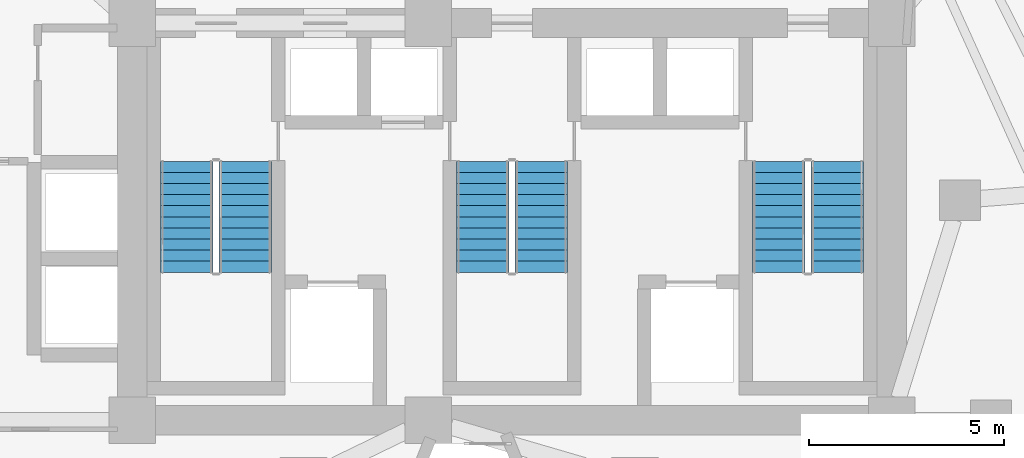
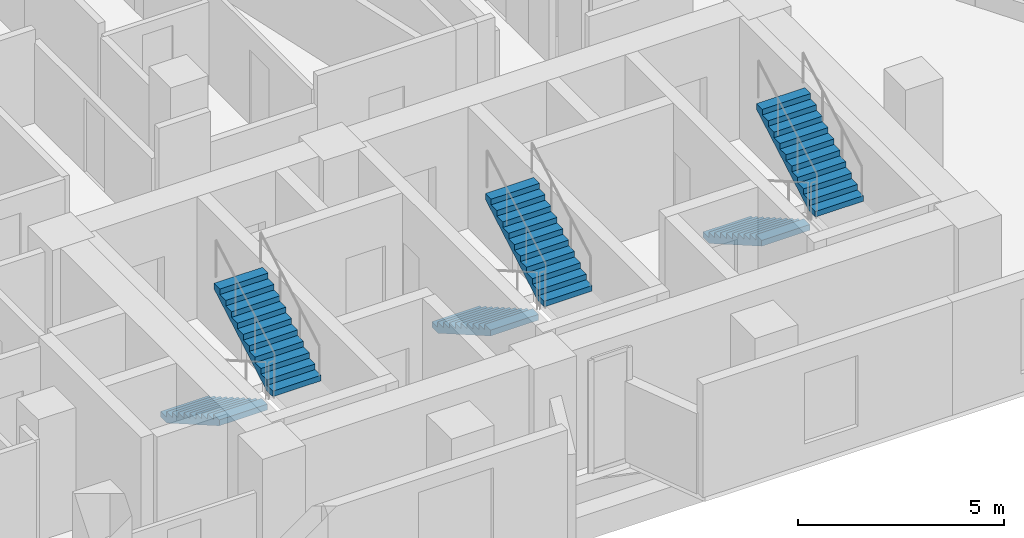
# One storey, part 10 of 12: 6 stair flights, 3 elements without a shape of their own.
"""IFC4 building model written with IfcOpenShell, lengths in metres."""

from ifc_helpers import new_model, si_unit, direction, frame, origin, place, context, subcontext, project, spatial, polyline, outline, extrude, material, type_object, element, aggregate, save


model = new_model("IFC4")

# Units and contexts
model_context = context("Model", 3, precision=1e-05, world=origin(), true_north=direction((0.0, 1.0)))
body_context = subcontext(model_context, "Body", "Model", "MODEL_VIEW")
ifc_project = project(units=[si_unit("LENGTHUNIT", "METRE"), si_unit("AREAUNIT", "SQUARE_METRE"), si_unit("VOLUMEUNIT", "CUBIC_METRE"), si_unit("PLANEANGLEUNIT", "RADIAN"), si_unit("MASSUNIT", "GRAM", prefix="KILO")], contexts=[model_context])

# Site, building, storey
site_placement = place(None, origin())
site = spatial("IfcSite", under=ifc_project, at=site_placement, CompositionType="ELEMENT")
building_placement = place(site_placement, origin())
building = spatial("IfcBuilding", under=site, at=building_placement, Name="Almagre Mirador Tower", CompositionType="ELEMENT")
storey_placement = place(building_placement, frame((0.0, 0.0, 117.60009765625)))
storey = spatial("IfcBuildingStorey", under=building, at=storey_placement, Name="L29", CompositionType="ELEMENT", Elevation=117.60009765625)

# Stair, stair flights
ifc_material_1 = material(Name="Concrete C45/55", Category="concrete")
stair_type = type_object("IfcStairType", Name="STR-DL-3600", PredefinedType="HALF_TURN_STAIR", material=ifc_material_1)
stair_1_placement = place(storey_placement, origin())
stair_1 = element("IfcStair", 1, at=stair_1_placement, inside=storey, type_object=stair_type, Name="L29 Protected exit stair ST-1", PredefinedType="HALF_TURN_STAIR")
ifc_material_2 = material(Name="Concrete C45/55", Category="concrete")
stair_flight_type = type_object("IfcStairFlightType", Name="FLT-DL-3600", PredefinedType="STRAIGHT", material=ifc_material_2)
stair_flight_1_placement = place(storey_placement, frame((28.949951171875, 11.199951171875, 0.0), z_axis=(0.0, 0.0, 1.0), x_axis=(0.0, -1.0, 0.0)))
stair_flight_1 = element("IfcStairFlight", 2, at=stair_flight_1_placement, type_object=stair_flight_type, Name="ST-1 flight 1", NumberOfRisers=11, NumberOfTreads=10, PredefinedType="STRAIGHT", RiserHeight=0.163636364, TreadLength=0.285, context=body_context, shape_type="SweptSolid", body=[
    extrude(outline(polyline([(0.0, 0.0), (0.0, 0.16357421875), (0.284912109375, 0.16357421875), (0.284912109375, 0.327392578125), (0.570068359375, 0.327392578125), (0.570068359375, 0.490966796875), (0.85498046875, 0.490966796875), (0.85498046875, 0.654541015625), (1.139892578125, 0.654541015625), (1.139892578125, 0.818115234375), (1.425048828125, 0.818115234375), (1.425048828125, 0.98193359375), (1.7099609375, 0.98193359375), (1.7099609375, 1.1455078125), (1.9951171875, 1.1455078125), (1.9951171875, 1.30908203125), (2.280029296875, 1.30908203125), (2.280029296875, 1.47265625), (2.56494140625, 1.47265625), (2.56494140625, 1.636474609375), (2.85009765625, 1.636474609375), (2.85009765625, 1.800048828125), (2.85009765625, 1.463623046875), (0.301025390625, 0.0), (0.0, 0.0)])), frame((0.0, 0.675048828125, 0.0), z_axis=(0.0, -1.0, 0.0), x_axis=(1.0, 0.0, 0.0)), (0.0, 0.0, 1.0), 1.35009765625),
])
stair_flight_2_placement = place(storey_placement, frame((30.449951171875, 8.35009765625, 1.7998046875), z_axis=(0.0, 0.0, 1.0), x_axis=(0.0, 1.0, 0.0)))
stair_flight_2 = element("IfcStairFlight", 3, at=stair_flight_2_placement, type_object=stair_flight_type, Name="ST-1 flight 2", NumberOfRisers=11, NumberOfTreads=10, PredefinedType="STRAIGHT", RiserHeight=0.163636364, TreadLength=0.285, context=body_context, shape_type="SweptSolid", body=[
    extrude(outline(polyline([(0.0, 0.0), (0.0, 0.16357421875), (0.284912109375, 0.16357421875), (0.284912109375, 0.327392578125), (0.570068359375, 0.327392578125), (0.570068359375, 0.490966796875), (0.85498046875, 0.490966796875), (0.85498046875, 0.654541015625), (1.139892578125, 0.654541015625), (1.139892578125, 0.818115234375), (1.425048828125, 0.818115234375), (1.425048828125, 0.98193359375), (1.7099609375, 0.98193359375), (1.7099609375, 1.1455078125), (1.9951171875, 1.1455078125), (1.9951171875, 1.30908203125), (2.280029296875, 1.30908203125), (2.280029296875, 1.47265625), (2.56494140625, 1.47265625), (2.56494140625, 1.636474609375), (2.85009765625, 1.636474609375), (2.85009765625, 1.800048828125), (2.85009765625, 1.463623046875), (0.301025390625, 0.0), (0.0, 0.0)])), frame((0.0, 0.675048828125, 0.0), z_axis=(0.0, -1.0, 0.0), x_axis=(1.0, 0.0, 0.0)), (0.0, 0.0, 1.0), 1.35009765625),
])
aggregate(stair_1, [stair_flight_1, stair_flight_2])

stair_2_placement = place(storey_placement, origin())
stair_2 = element("IfcStair", 4, at=stair_2_placement, inside=storey, type_object=stair_type, Name="L29 Protected exit stair ST-2", PredefinedType="HALF_TURN_STAIR")
stair_flight_3_placement = place(storey_placement, frame((36.550048828125, 11.199951171875, 0.0), z_axis=(0.0, 0.0, 1.0), x_axis=(0.0, -1.0, 0.0)))
stair_flight_3 = element("IfcStairFlight", 5, at=stair_flight_3_placement, type_object=stair_flight_type, Name="ST-2 flight 1", NumberOfRisers=11, NumberOfTreads=10, PredefinedType="STRAIGHT", RiserHeight=0.163636364, TreadLength=0.285, context=body_context, shape_type="SweptSolid", body=[
    extrude(outline(polyline([(0.0, 0.0), (0.0, 0.16357421875), (0.284912109375, 0.16357421875), (0.284912109375, 0.327392578125), (0.570068359375, 0.327392578125), (0.570068359375, 0.490966796875), (0.85498046875, 0.490966796875), (0.85498046875, 0.654541015625), (1.139892578125, 0.654541015625), (1.139892578125, 0.818115234375), (1.425048828125, 0.818115234375), (1.425048828125, 0.98193359375), (1.7099609375, 0.98193359375), (1.7099609375, 1.1455078125), (1.9951171875, 1.1455078125), (1.9951171875, 1.30908203125), (2.280029296875, 1.30908203125), (2.280029296875, 1.47265625), (2.56494140625, 1.47265625), (2.56494140625, 1.636474609375), (2.85009765625, 1.636474609375), (2.85009765625, 1.800048828125), (2.85009765625, 1.463623046875), (0.301025390625, 0.0), (0.0, 0.0)])), frame((0.0, 0.675048828125, 0.0), z_axis=(0.0, -1.0, 0.0), x_axis=(1.0, 0.0, 0.0)), (0.0, 0.0, 1.0), 1.35009765625),
])
stair_flight_4_placement = place(storey_placement, frame((38.050048828125, 8.35009765625, 1.7998046875), z_axis=(0.0, 0.0, 1.0), x_axis=(0.0, 1.0, 0.0)))
stair_flight_4 = element("IfcStairFlight", 6, at=stair_flight_4_placement, type_object=stair_flight_type, Name="ST-2 flight 2", NumberOfRisers=11, NumberOfTreads=10, PredefinedType="STRAIGHT", RiserHeight=0.163636364, TreadLength=0.285, context=body_context, shape_type="SweptSolid", body=[
    extrude(outline(polyline([(0.0, 0.0), (0.0, 0.16357421875), (0.284912109375, 0.16357421875), (0.284912109375, 0.327392578125), (0.570068359375, 0.327392578125), (0.570068359375, 0.490966796875), (0.85498046875, 0.490966796875), (0.85498046875, 0.654541015625), (1.139892578125, 0.654541015625), (1.139892578125, 0.818115234375), (1.425048828125, 0.818115234375), (1.425048828125, 0.98193359375), (1.7099609375, 0.98193359375), (1.7099609375, 1.1455078125), (1.9951171875, 1.1455078125), (1.9951171875, 1.30908203125), (2.280029296875, 1.30908203125), (2.280029296875, 1.47265625), (2.56494140625, 1.47265625), (2.56494140625, 1.636474609375), (2.85009765625, 1.636474609375), (2.85009765625, 1.800048828125), (2.85009765625, 1.463623046875), (0.301025390625, 0.0), (0.0, 0.0)])), frame((0.0, 0.675048828125, 0.0), z_axis=(0.0, -1.0, 0.0), x_axis=(1.0, 0.0, 0.0)), (0.0, 0.0, 1.0), 1.35009765625),
])
aggregate(stair_2, [stair_flight_3, stair_flight_4])

stair_3_placement = place(storey_placement, origin())
stair_3 = element("IfcStair", 7, at=stair_3_placement, inside=storey, type_object=stair_type, Name="L29 Protected exit stair ST-3", PredefinedType="HALF_TURN_STAIR")
stair_flight_5_placement = place(storey_placement, frame((44.14990234375, 11.199951171875, 0.0), z_axis=(0.0, 0.0, 1.0), x_axis=(0.0, -1.0, 0.0)))
stair_flight_5 = element("IfcStairFlight", 8, at=stair_flight_5_placement, type_object=stair_flight_type, Name="ST-3 flight 1", NumberOfRisers=11, NumberOfTreads=10, PredefinedType="STRAIGHT", RiserHeight=0.163636364, TreadLength=0.285, context=body_context, shape_type="SweptSolid", body=[
    extrude(outline(polyline([(0.0, 0.0), (0.0, 0.16357421875), (0.284912109375, 0.16357421875), (0.284912109375, 0.327392578125), (0.570068359375, 0.327392578125), (0.570068359375, 0.490966796875), (0.85498046875, 0.490966796875), (0.85498046875, 0.654541015625), (1.139892578125, 0.654541015625), (1.139892578125, 0.818115234375), (1.425048828125, 0.818115234375), (1.425048828125, 0.98193359375), (1.7099609375, 0.98193359375), (1.7099609375, 1.1455078125), (1.9951171875, 1.1455078125), (1.9951171875, 1.30908203125), (2.280029296875, 1.30908203125), (2.280029296875, 1.47265625), (2.56494140625, 1.47265625), (2.56494140625, 1.636474609375), (2.85009765625, 1.636474609375), (2.85009765625, 1.800048828125), (2.85009765625, 1.463623046875), (0.301025390625, 0.0), (0.0, 0.0)])), frame((0.0, 0.675048828125, 0.0), z_axis=(0.0, -1.0, 0.0), x_axis=(1.0, 0.0, 0.0)), (0.0, 0.0, 1.0), 1.35009765625),
])
stair_flight_6_placement = place(storey_placement, frame((45.64990234375, 8.35009765625, 1.7998046875), z_axis=(0.0, 0.0, 1.0), x_axis=(0.0, 1.0, 0.0)))
stair_flight_6 = element("IfcStairFlight", 9, at=stair_flight_6_placement, type_object=stair_flight_type, Name="ST-3 flight 2", NumberOfRisers=11, NumberOfTreads=10, PredefinedType="STRAIGHT", RiserHeight=0.163636364, TreadLength=0.285, context=body_context, shape_type="SweptSolid", body=[
    extrude(outline(polyline([(0.0, 0.0), (0.0, 0.16357421875), (0.284912109375, 0.16357421875), (0.284912109375, 0.327392578125), (0.570068359375, 0.327392578125), (0.570068359375, 0.490966796875), (0.85498046875, 0.490966796875), (0.85498046875, 0.654541015625), (1.139892578125, 0.654541015625), (1.139892578125, 0.818115234375), (1.425048828125, 0.818115234375), (1.425048828125, 0.98193359375), (1.7099609375, 0.98193359375), (1.7099609375, 1.1455078125), (1.9951171875, 1.1455078125), (1.9951171875, 1.30908203125), (2.280029296875, 1.30908203125), (2.280029296875, 1.47265625), (2.56494140625, 1.47265625), (2.56494140625, 1.636474609375), (2.85009765625, 1.636474609375), (2.85009765625, 1.800048828125), (2.85009765625, 1.463623046875), (0.301025390625, 0.0), (0.0, 0.0)])), frame((0.0, 0.675048828125, 0.0), z_axis=(0.0, -1.0, 0.0), x_axis=(1.0, 0.0, 0.0)), (0.0, 0.0, 1.0), 1.35009765625),
])
aggregate(stair_3, [stair_flight_5, stair_flight_6])

save(model, "model.ifc")
